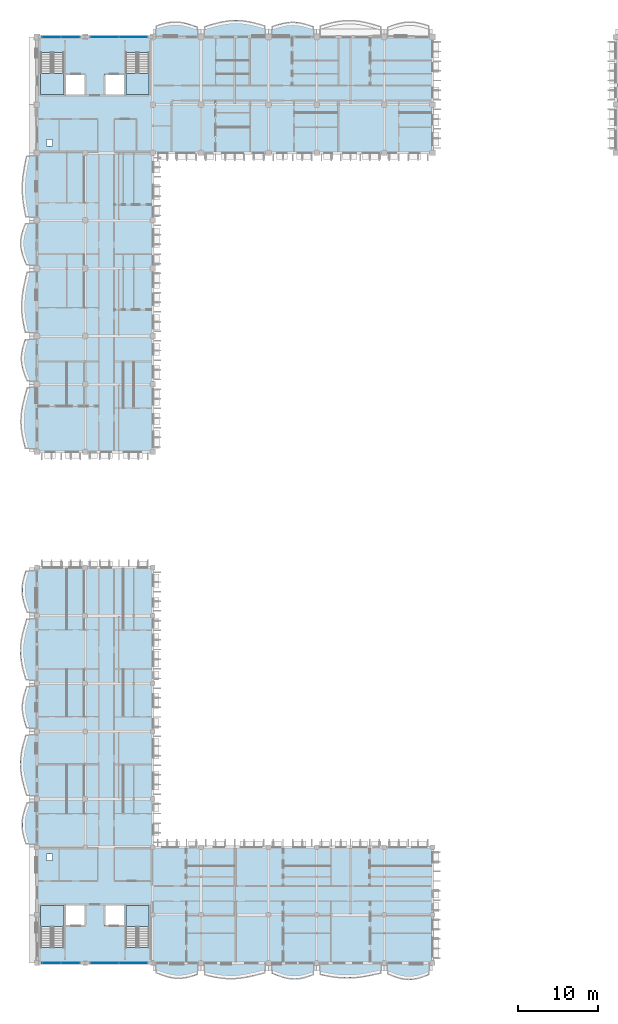
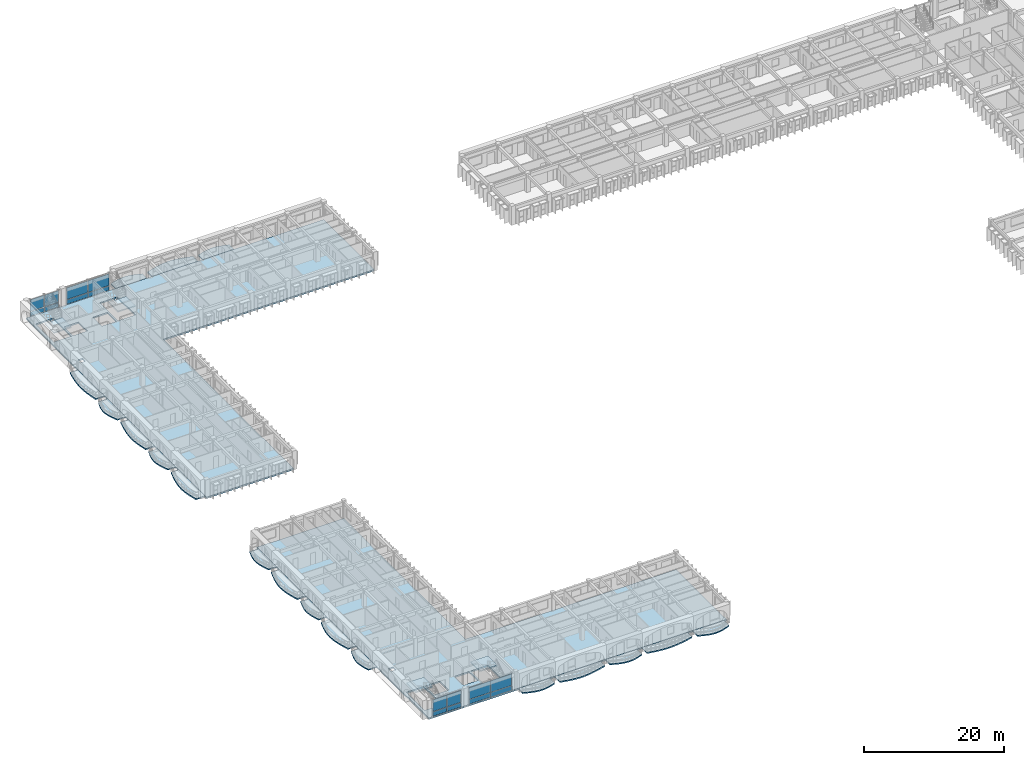
# One storey, part 11 of 70: 24 slabs, 16 plates, 8 elements without a shape of their own.
"""IFC4 building model written with IfcOpenShell, lengths in metres."""

from ifc_helpers import new_model, si_unit, direction, frame, origin, origin_2d, place, context, subcontext, project, spatial, polyline, rectangle, outline, extrude, material, layer, layer_set, type_object, element, aggregate, save


model = new_model("IFC4")

# Units and contexts
model_context = context("Model", 3, precision=1e-05, world=origin(), true_north=direction((0.0, 1.0)))
body_context = subcontext(model_context, "Body", "Model", "MODEL_VIEW")
ifc_project = project(units=[si_unit("LENGTHUNIT", "METRE"), si_unit("AREAUNIT", "SQUARE_METRE"), si_unit("VOLUMEUNIT", "CUBIC_METRE"), si_unit("PLANEANGLEUNIT", "RADIAN"), si_unit("MASSUNIT", "GRAM", prefix="KILO"), si_unit("THERMODYNAMICTEMPERATUREUNIT", "KELVIN")], contexts=[model_context])

# Site, building, storey
site_placement = place(None, origin())
site = spatial("IfcSite", under=ifc_project, at=site_placement, CompositionType="ELEMENT")
building_placement = place(site_placement, origin())
building = spatial("IfcBuilding", under=site, at=building_placement, Name="Thalorik Housing Commons", CompositionType="ELEMENT")
storey_placement = place(building_placement, frame((0.0, 0.0, 14.699951171875)))
storey = spatial("IfcBuildingStorey", under=building, at=storey_placement, Name="L04", CompositionType="ELEMENT", Elevation=14.699951171875)

# Curtain wall, plates
ifc_material_1 = material(Name="Anodised aluminium and solar-control low-E glass", Category="aluminium")
curtain_wall_type = type_object("IfcCurtainWallType", Name="ARC-CW-CORE", PredefinedType="USERDEFINED", material=ifc_material_1)
curtain_wall_1_placement = place(storey_placement, origin())
curtain_wall_1 = element("IfcCurtainWall", 1, at=curtain_wall_1_placement, inside=storey, type_object=curtain_wall_type, Name="L04 Curtain Wall CW-CORE-L04-A-018", ObjectType="CURTAIN WALL", PredefinedType="USERDEFINED")
ifc_material_2 = material(Name="Double solar-control low-E glass", Category="glass")
ifc_layer_1 = layer(ifc_material_2, 0.028076171875, Name="Double solar-control low-E glass", Category="glass")
ifc_layer_set_1 = layer_set([ifc_layer_1], Name="Double solar-control low-E glass")
plate_type_1 = type_object("IfcPlateType", Name="ARC-CP-GLZ-28", PredefinedType="CURTAIN_PANEL", material=ifc_layer_set_1)
plate_1_placement = place(storey_placement, frame((20.375, 123.60009765625, 0.919921875), z_axis=(0.0, 0.0, 1.0), x_axis=(-1.0, 0.0, 0.0)))
plate_1 = element("IfcPlate", 2, at=plate_1_placement, type_object=plate_type_1, Name="CW-CORE-L04-A-018 Vision Panel 1", PredefinedType="CURTAIN_PANEL", context=body_context, shape_type="SweptSolid", body=[
    extrude(rectangle(XDim=3.489990234375, YDim=0.028076171875, at=origin_2d()), origin(), (0.0, 0.0, 1.0), 2.0400390625),
])
plate_2_placement = place(storey_placement, frame((16.824951171875, 123.60009765625, 0.919921875), z_axis=(0.0, 0.0, 1.0), x_axis=(-1.0, 0.0, 0.0)))
plate_2 = element("IfcPlate", 3, at=plate_2_placement, type_object=plate_type_1, Name="CW-CORE-L04-A-018 Vision Panel 2", PredefinedType="CURTAIN_PANEL", context=body_context, shape_type="SweptSolid", body=[
    extrude(rectangle(XDim=3.489990234375, YDim=0.028076171875, at=origin_2d()), origin(), (0.0, 0.0, 1.0), 2.0400390625),
])

curtain_wall_2_placement = place(storey_placement, origin())
curtain_wall_2 = element("IfcCurtainWall", 4, at=curtain_wall_2_placement, inside=storey, type_object=curtain_wall_type, Name="L04 Curtain Wall CW-CORE-L04-A-019", ObjectType="CURTAIN WALL", PredefinedType="USERDEFINED")
plate_3_placement = place(storey_placement, frame((12.574951171875, 123.60009765625, 0.919921875), z_axis=(0.0, 0.0, 1.0), x_axis=(-1.0, 0.0, 0.0)))
plate_3 = element("IfcPlate", 5, at=plate_3_placement, type_object=plate_type_1, Name="CW-CORE-L04-A-019 Vision Panel 1", PredefinedType="CURTAIN_PANEL", context=body_context, shape_type="SweptSolid", body=[
    extrude(rectangle(XDim=2.2900390625, YDim=0.028076171875, at=origin_2d()), origin(), (0.0, 0.0, 1.0), 2.0400390625),
])
plate_4_placement = place(storey_placement, frame((10.22509765625, 123.60009765625, 0.919921875), z_axis=(0.0, 0.0, 1.0), x_axis=(-1.0, 0.0, 0.0)))
plate_4 = element("IfcPlate", 6, at=plate_4_placement, type_object=plate_type_1, Name="CW-CORE-L04-A-019 Vision Panel 2", PredefinedType="CURTAIN_PANEL", context=body_context, shape_type="SweptSolid", body=[
    extrude(rectangle(XDim=2.2900390625, YDim=0.028076171875, at=origin_2d()), origin(), (0.0, 0.0, 1.0), 2.0400390625),
])

curtain_wall_3_placement = place(storey_placement, origin())
curtain_wall_3 = element("IfcCurtainWall", 7, at=curtain_wall_3_placement, inside=storey, type_object=curtain_wall_type, Name="L04 Curtain Wall CW-CORE-L04-C-144", ObjectType="CURTAIN WALL", PredefinedType="USERDEFINED")
plate_5_placement = place(storey_placement, frame((10.22509765625, 8.39990234375, 0.919921875), z_axis=(0.0, 0.0, 1.0), x_axis=(1.0, 0.0, 0.0)))
plate_5 = element("IfcPlate", 8, at=plate_5_placement, type_object=plate_type_1, Name="CW-CORE-L04-C-144 Vision Panel 1", PredefinedType="CURTAIN_PANEL", context=body_context, shape_type="SweptSolid", body=[
    extrude(rectangle(XDim=2.2900390625, YDim=0.028076171875, at=origin_2d()), origin(), (0.0, 0.0, 1.0), 2.0400390625),
])
plate_6_placement = place(storey_placement, frame((12.574951171875, 8.39990234375, 0.919921875), z_axis=(0.0, 0.0, 1.0), x_axis=(1.0, 0.0, 0.0)))
plate_6 = element("IfcPlate", 9, at=plate_6_placement, type_object=plate_type_1, Name="CW-CORE-L04-C-144 Vision Panel 2", PredefinedType="CURTAIN_PANEL", context=body_context, shape_type="SweptSolid", body=[
    extrude(rectangle(XDim=2.2900390625, YDim=0.028076171875, at=origin_2d()), origin(), (0.0, 0.0, 1.0), 2.0400390625),
])

curtain_wall_4_placement = place(storey_placement, origin())
curtain_wall_4 = element("IfcCurtainWall", 10, at=curtain_wall_4_placement, inside=storey, type_object=curtain_wall_type, Name="L04 Curtain Wall CW-CORE-L04-C-145", ObjectType="CURTAIN WALL", PredefinedType="USERDEFINED")
plate_7_placement = place(storey_placement, frame((16.824951171875, 8.39990234375, 0.919921875), z_axis=(0.0, 0.0, 1.0), x_axis=(1.0, 0.0, 0.0)))
plate_7 = element("IfcPlate", 11, at=plate_7_placement, type_object=plate_type_1, Name="CW-CORE-L04-C-145 Vision Panel 1", PredefinedType="CURTAIN_PANEL", context=body_context, shape_type="SweptSolid", body=[
    extrude(rectangle(XDim=3.489990234375, YDim=0.028076171875, at=origin_2d()), origin(), (0.0, 0.0, 1.0), 2.0400390625),
])
plate_8_placement = place(storey_placement, frame((20.375, 8.39990234375, 0.919921875), z_axis=(0.0, 0.0, 1.0), x_axis=(1.0, 0.0, 0.0)))
plate_8 = element("IfcPlate", 12, at=plate_8_placement, type_object=plate_type_1, Name="CW-CORE-L04-C-145 Vision Panel 2", PredefinedType="CURTAIN_PANEL", context=body_context, shape_type="SweptSolid", body=[
    extrude(rectangle(XDim=3.489990234375, YDim=0.028076171875, at=origin_2d()), origin(), (0.0, 0.0, 1.0), 2.0400390625),
])

# Plate
ifc_material_3 = material(Name="Oxide red enamelled aluminium spandrel panel", Category="aluminium")
ifc_layer_2 = layer(ifc_material_3, 0.0419921875, Name="Oxide red enamelled aluminium spandrel panel", Category="aluminium")
ifc_layer_set_2 = layer_set([ifc_layer_2], Name="Oxide red enamelled aluminium spandrel panel")
plate_type_2 = type_object("IfcPlateType", Name="ARC-CP-RED-42", PredefinedType="CURTAIN_PANEL", material=ifc_layer_set_2)
plate_9_placement = place(storey_placement, frame((12.574951171875, 123.60009765625, 0.080078125), z_axis=(0.0, 0.0, 1.0), x_axis=(-1.0, 0.0, 0.0)))
plate_9 = element("IfcPlate", 13, at=plate_9_placement, type_object=plate_type_2, Name="CW-CORE-L04-A-019 Spandrel Panel 1", PredefinedType="CURTAIN_PANEL", context=body_context, shape_type="SweptSolid", body=[
    extrude(rectangle(XDim=2.2900390625, YDim=0.0419921875, at=origin_2d()), origin(), (0.0, 0.0, 1.0), 0.760009765625),
])

plate_10_placement = place(storey_placement, frame((10.22509765625, 123.60009765625, 0.080078125), z_axis=(0.0, 0.0, 1.0), x_axis=(-1.0, 0.0, 0.0)))
plate_10 = element("IfcPlate", 14, at=plate_10_placement, type_object=plate_type_2, Name="CW-CORE-L04-A-019 Spandrel Panel 2", PredefinedType="CURTAIN_PANEL", context=body_context, shape_type="SweptSolid", body=[
    extrude(rectangle(XDim=2.2900390625, YDim=0.0419921875, at=origin_2d()), origin(), (0.0, 0.0, 1.0), 0.760009765625),
])

aggregate(curtain_wall_2, [plate_9, plate_3, plate_10, plate_4])

plate_11_placement = place(storey_placement, frame((16.824951171875, 8.39990234375, 0.080078125), z_axis=(0.0, 0.0, 1.0), x_axis=(1.0, 0.0, 0.0)))
plate_11 = element("IfcPlate", 15, at=plate_11_placement, type_object=plate_type_2, Name="CW-CORE-L04-C-145 Spandrel Panel 1", PredefinedType="CURTAIN_PANEL", context=body_context, shape_type="SweptSolid", body=[
    extrude(rectangle(XDim=3.489990234375, YDim=0.0419921875, at=origin_2d()), origin(), (0.0, 0.0, 1.0), 0.760009765625),
])

plate_12_placement = place(storey_placement, frame((20.375, 8.39990234375, 0.080078125), z_axis=(0.0, 0.0, 1.0), x_axis=(1.0, 0.0, 0.0)))
plate_12 = element("IfcPlate", 16, at=plate_12_placement, type_object=plate_type_2, Name="CW-CORE-L04-C-145 Spandrel Panel 2", PredefinedType="CURTAIN_PANEL", context=body_context, shape_type="SweptSolid", body=[
    extrude(rectangle(XDim=3.489990234375, YDim=0.0419921875, at=origin_2d()), origin(), (0.0, 0.0, 1.0), 0.760009765625),
])

aggregate(curtain_wall_4, [plate_11, plate_7, plate_12, plate_8])

ifc_material_4 = material(Name="Mineral ochre yellow aluminium spandrel panel", Category="aluminium")
ifc_layer_3 = layer(ifc_material_4, 0.050048828125, Name="Mineral ochre yellow aluminium spandrel panel", Category="aluminium")
ifc_layer_set_3 = layer_set([ifc_layer_3], Name="Mineral ochre yellow aluminium spandrel panel")
plate_type_3 = type_object("IfcPlateType", Name="ARC-CP-YEL-50", PredefinedType="CURTAIN_PANEL", material=ifc_layer_set_3)
plate_13_placement = place(storey_placement, frame((20.375, 123.60009765625, 0.080078125), z_axis=(0.0, 0.0, 1.0), x_axis=(-1.0, 0.0, 0.0)))
plate_13 = element("IfcPlate", 17, at=plate_13_placement, type_object=plate_type_3, Name="CW-CORE-L04-A-018 Spandrel Panel 1", PredefinedType="CURTAIN_PANEL", context=body_context, shape_type="SweptSolid", body=[
    extrude(rectangle(XDim=3.489990234375, YDim=0.050048828125, at=origin_2d()), origin(), (0.0, 0.0, 1.0), 0.760009765625),
])

plate_14_placement = place(storey_placement, frame((16.824951171875, 123.60009765625, 0.080078125), z_axis=(0.0, 0.0, 1.0), x_axis=(-1.0, 0.0, 0.0)))
plate_14 = element("IfcPlate", 18, at=plate_14_placement, type_object=plate_type_3, Name="CW-CORE-L04-A-018 Spandrel Panel 2", PredefinedType="CURTAIN_PANEL", context=body_context, shape_type="SweptSolid", body=[
    extrude(rectangle(XDim=3.489990234375, YDim=0.050048828125, at=origin_2d()), origin(), (0.0, 0.0, 1.0), 0.760009765625),
])

aggregate(curtain_wall_1, [plate_13, plate_1, plate_14, plate_2])

plate_15_placement = place(storey_placement, frame((10.22509765625, 8.39990234375, 0.080078125), z_axis=(0.0, 0.0, 1.0), x_axis=(1.0, 0.0, 0.0)))
plate_15 = element("IfcPlate", 19, at=plate_15_placement, type_object=plate_type_3, Name="CW-CORE-L04-C-144 Spandrel Panel 1", PredefinedType="CURTAIN_PANEL", context=body_context, shape_type="SweptSolid", body=[
    extrude(rectangle(XDim=2.2900390625, YDim=0.050048828125, at=origin_2d()), origin(), (0.0, 0.0, 1.0), 0.760009765625),
])

plate_16_placement = place(storey_placement, frame((12.574951171875, 8.39990234375, 0.080078125), z_axis=(0.0, 0.0, 1.0), x_axis=(1.0, 0.0, 0.0)))
plate_16 = element("IfcPlate", 20, at=plate_16_placement, type_object=plate_type_3, Name="CW-CORE-L04-C-144 Spandrel Panel 2", PredefinedType="CURTAIN_PANEL", context=body_context, shape_type="SweptSolid", body=[
    extrude(rectangle(XDim=2.2900390625, YDim=0.050048828125, at=origin_2d()), origin(), (0.0, 0.0, 1.0), 0.760009765625),
])

aggregate(curtain_wall_3, [plate_15, plate_5, plate_16, plate_6])

# Stair, slab
ifc_material_5 = material(Name="Precast concrete C40/50", Category="concrete")
stair_type = type_object("IfcStairType", Name="ARC-STR-1350-R20", PredefinedType="HALF_TURN_STAIR", material=ifc_material_5)
stair_1_placement = place(storey_placement, origin())
stair_1 = element("IfcStair", 21, at=stair_1_placement, inside=storey, type_object=stair_type, Name="L04 Block A Smoke-Proof Stair 1", PredefinedType="HALF_TURN_STAIR")
ifc_layer_4 = layer(ifc_material_5, 0.199951171875, Name="Precast concrete C40/50", Category="concrete")
ifc_layer_set_4 = layer_set([ifc_layer_4], Name="Precast concrete C40/50")
slab_type_1 = type_object("IfcSlabType", Name="ARC-SLB-STLND-200", PredefinedType="LANDING", material=ifc_layer_set_4)
slab_1_placement = place(storey_placement, frame((0.0, 0.0, 1.449951171875)))
slab_1 = element("IfcSlab", 22, at=slab_1_placement, type_object=slab_type_1, Name="ST-A1 landing 1", PredefinedType="LANDING", context=body_context, shape_type="SweptSolid", body=[
    extrude(outline(polyline([(8.85009765625, 119.090087890625), (8.85009765625, 116.449951171875), (11.75, 116.449951171875), (11.75, 119.090087890625), (8.85009765625, 119.090087890625)])), origin(), (0.0, 0.0, 1.0), 0.2001953125),
])
aggregate(stair_1, [slab_1])

stair_2_placement = place(storey_placement, origin())
stair_2 = element("IfcStair", 23, at=stair_2_placement, inside=storey, type_object=stair_type, Name="L04 Block A Smoke-Proof Stair 2", PredefinedType="HALF_TURN_STAIR")
slab_2_placement = place(storey_placement, frame((0.0, 0.0, 1.449951171875)))
slab_2 = element("IfcSlab", 24, at=slab_2_placement, type_object=slab_type_1, Name="ST-A2 landing 1", PredefinedType="LANDING", context=body_context, shape_type="SweptSolid", body=[
    extrude(outline(polyline([(19.449951171875, 119.090087890625), (19.449951171875, 116.449951171875), (22.35009765625, 116.449951171875), (22.35009765625, 119.090087890625), (19.449951171875, 119.090087890625)])), origin(), (0.0, 0.0, 1.0), 0.2001953125),
])
aggregate(stair_2, [slab_2])

stair_3_placement = place(storey_placement, origin())
stair_3 = element("IfcStair", 25, at=stair_3_placement, inside=storey, type_object=stair_type, Name="L04 Block C Smoke-Proof Stair 1", PredefinedType="HALF_TURN_STAIR")
slab_3_placement = place(storey_placement, frame((0.0, 0.0, 1.449951171875)))
slab_3 = element("IfcSlab", 26, at=slab_3_placement, type_object=slab_type_1, Name="ST-C1 landing 1", PredefinedType="LANDING", context=body_context, shape_type="SweptSolid", body=[
    extrude(outline(polyline([(11.75, 12.909912109375), (11.75, 15.550048828125), (8.85009765625, 15.550048828125), (8.85009765625, 12.909912109375), (11.75, 12.909912109375)])), origin(), (0.0, 0.0, 1.0), 0.2001953125),
])
aggregate(stair_3, [slab_3])

stair_4_placement = place(storey_placement, origin())
stair_4 = element("IfcStair", 27, at=stair_4_placement, inside=storey, type_object=stair_type, Name="L04 Block C Smoke-Proof Stair 2", PredefinedType="HALF_TURN_STAIR")
slab_4_placement = place(storey_placement, frame((0.0, 0.0, 1.449951171875)))
slab_4 = element("IfcSlab", 28, at=slab_4_placement, type_object=slab_type_1, Name="ST-C2 landing 1", PredefinedType="LANDING", context=body_context, shape_type="SweptSolid", body=[
    extrude(outline(polyline([(22.35009765625, 12.909912109375), (22.35009765625, 15.550048828125), (19.449951171875, 15.550048828125), (19.449951171875, 12.909912109375), (22.35009765625, 12.909912109375)])), origin(), (0.0, 0.0, 1.0), 0.2001953125),
])
aggregate(stair_4, [slab_4])

# Slabs
ifc_layer_5 = layer(ifc_material_5, 0.199951171875, Name="Precast concrete C40/50", Category="concrete")
ifc_layer_set_5 = layer_set([ifc_layer_5], Name="Precast concrete C40/50")
slab_type_2 = type_object("IfcSlabType", Name="STR-SLB-BALC-200", PredefinedType="FLOOR", material=ifc_layer_set_5)
slab_5_placement = place(storey_placement, frame((0.0, 0.0, -0.199951171875)))
element("IfcSlab", 29, at=slab_5_placement, inside=storey, type_object=slab_type_2, Name="L04 Block A Cushion Balcony 21", PredefinedType="FLOOR", context=body_context, shape_type="SweptSolid", body=[
    extrude(outline(polyline([(23.219970703125, 123.60009765625), (28.3798828125, 123.60009765625), (28.3798828125, 124.856689453125), (27.949951171875, 125.009765625), (27.52001953125, 125.156005859375), (27.090087890625, 125.28564453125), (26.659912109375, 125.389892578125), (26.22998046875, 125.4619140625), (25.800048828125, 125.496826171875), (25.3701171875, 125.4931640625), (24.93994140625, 125.45166015625), (24.510009765625, 125.37548828125), (24.080078125, 125.270751953125), (23.64990234375, 125.1455078125), (23.219970703125, 125.0087890625), (23.219970703125, 123.60009765625)])), origin(), (0.0, 0.0, 1.0), 0.199951171875),
])
slab_6_placement = place(storey_placement, frame((0.0, 0.0, -0.199951171875)))
element("IfcSlab", 30, at=slab_6_placement, inside=storey, type_object=slab_type_2, Name="L04 Block A Cushion Balcony 23", PredefinedType="FLOOR", context=body_context, shape_type="SweptSolid", body=[
    extrude(outline(polyline([(37.6201171875, 123.60009765625), (42.780029296875, 123.60009765625), (42.780029296875, 124.917724609375), (42.35009765625, 125.056884765625), (41.919921875, 125.18798828125), (41.489990234375, 125.301025390625), (41.06005859375, 125.38818359375), (40.6298828125, 125.443115234375), (40.199951171875, 125.4619140625), (39.77001953125, 125.443115234375), (39.340087890625, 125.38818359375), (38.909912109375, 125.301025390625), (38.47998046875, 125.18798828125), (38.050048828125, 125.056884765625), (37.6201171875, 124.917724609375), (37.6201171875, 123.60009765625)])), origin(), (0.0, 0.0, 1.0), 0.199951171875),
])
slab_7_placement = place(storey_placement, frame((0.0, 0.0, -0.199951171875)))
element("IfcSlab", 31, at=slab_7_placement, inside=storey, type_object=slab_type_2, Name="L04 Block A Cushion Balcony 27", PredefinedType="FLOOR", context=body_context, shape_type="SweptSolid", body=[
    extrude(outline(polyline([(8.39990234375, 80.820068359375), (8.39990234375, 85.97998046875), (6.923583984375, 85.97998046875), (6.776611328125, 85.550048828125), (6.643798828125, 85.1201171875), (6.534912109375, 84.68994140625), (6.45751953125, 84.260009765625), (6.417724609375, 83.830078125), (6.4189453125, 83.39990234375), (6.4619140625, 82.969970703125), (6.544677734375, 82.5400390625), (6.661865234375, 82.110107421875), (6.80615234375, 81.679931640625), (6.968505859375, 81.25), (7.138427734375, 80.820068359375), (8.39990234375, 80.820068359375)])), origin(), (0.0, 0.0, 1.0), 0.199951171875),
])
slab_8_placement = place(storey_placement, frame((0.0, 0.0, -0.199951171875)))
element("IfcSlab", 32, at=slab_8_placement, inside=storey, type_object=slab_type_2, Name="L04 Block A Cushion Balcony 29", PredefinedType="FLOOR", context=body_context, shape_type="SweptSolid", body=[
    extrude(outline(polyline([(8.39990234375, 95.219970703125), (8.39990234375, 100.3798828125), (6.918701171875, 100.3798828125), (6.7548828125, 99.949951171875), (6.606201171875, 99.52001953125), (6.482177734375, 99.090087890625), (6.391845703125, 98.659912109375), (6.341552734375, 98.22998046875), (6.3349609375, 97.800048828125), (6.372802734375, 97.3701171875), (6.45361328125, 96.93994140625), (6.572021484375, 96.510009765625), (6.720703125, 96.080078125), (6.890625, 95.64990234375), (7.07080078125, 95.219970703125), (8.39990234375, 95.219970703125)])), origin(), (0.0, 0.0, 1.0), 0.199951171875),
])
slab_9_placement = place(storey_placement, frame((0.0, 0.0, -0.199951171875)))
element("IfcSlab", 33, at=slab_9_placement, inside=storey, type_object=slab_type_2, Name="L04 Block C Cushion Balcony 271", PredefinedType="FLOOR", context=body_context, shape_type="SweptSolid", body=[
    extrude(outline(polyline([(8.39990234375, 23.219970703125), (8.39990234375, 28.3798828125), (7.143310546875, 28.3798828125), (6.990234375, 27.949951171875), (6.843994140625, 27.52001953125), (6.71435546875, 27.090087890625), (6.610107421875, 26.659912109375), (6.5380859375, 26.22998046875), (6.503173828125, 25.800048828125), (6.5068359375, 25.3701171875), (6.54833984375, 24.93994140625), (6.62451171875, 24.510009765625), (6.729248046875, 24.080078125), (6.8544921875, 23.64990234375), (6.9912109375, 23.219970703125), (8.39990234375, 23.219970703125)])), origin(), (0.0, 0.0, 1.0), 0.199951171875),
])
slab_10_placement = place(storey_placement, frame((0.0, 0.0, -0.199951171875)))
element("IfcSlab", 34, at=slab_10_placement, inside=storey, type_object=slab_type_2, Name="L04 Block C Cushion Balcony 273", PredefinedType="FLOOR", context=body_context, shape_type="SweptSolid", body=[
    extrude(outline(polyline([(8.39990234375, 37.6201171875), (8.39990234375, 42.780029296875), (7.082275390625, 42.780029296875), (6.943115234375, 42.35009765625), (6.81201171875, 41.919921875), (6.698974609375, 41.489990234375), (6.61181640625, 41.06005859375), (6.556884765625, 40.6298828125), (6.5380859375, 40.199951171875), (6.556884765625, 39.77001953125), (6.61181640625, 39.340087890625), (6.698974609375, 38.909912109375), (6.81201171875, 38.47998046875), (6.943115234375, 38.050048828125), (7.082275390625, 37.6201171875), (8.39990234375, 37.6201171875)])), origin(), (0.0, 0.0, 1.0), 0.199951171875),
])
slab_11_placement = place(storey_placement, frame((0.0, 0.0, -0.199951171875)))
element("IfcSlab", 35, at=slab_11_placement, inside=storey, type_object=slab_type_2, Name="L04 Block C Cushion Balcony 275", PredefinedType="FLOOR", context=body_context, shape_type="SweptSolid", body=[
    extrude(outline(polyline([(8.39990234375, 52.02001953125), (8.39990234375, 57.179931640625), (6.9912109375, 57.179931640625), (6.8544921875, 56.75), (6.729248046875, 56.320068359375), (6.62451171875, 55.889892578125), (6.54833984375, 55.4599609375), (6.5068359375, 55.030029296875), (6.503173828125, 54.60009765625), (6.5380859375, 54.169921875), (6.610107421875, 53.739990234375), (6.71435546875, 53.31005859375), (6.843994140625, 52.8798828125), (6.990234375, 52.449951171875), (7.143310546875, 52.02001953125), (8.39990234375, 52.02001953125)])), origin(), (0.0, 0.0, 1.0), 0.199951171875),
])
slab_12_placement = place(storey_placement, frame((0.0, 0.0, -0.199951171875)))
element("IfcSlab", 36, at=slab_12_placement, inside=storey, type_object=slab_type_2, Name="L04 Block C Cushion Balcony 276", PredefinedType="FLOOR", context=body_context, shape_type="SweptSolid", body=[
    extrude(outline(polyline([(23.219970703125, 7.14990234375), (23.64990234375, 6.98828125), (24.080078125, 6.833251953125), (24.510009765625, 6.6953125), (24.93994140625, 6.583740234375), (25.3701171875, 6.505126953125), (25.800048828125, 6.464599609375), (26.22998046875, 6.464111328125), (26.659912109375, 6.503173828125), (27.090087890625, 6.578125), (27.52001953125, 6.683349609375), (27.949951171875, 6.810791015625), (28.3798828125, 6.951416015625), (28.3798828125, 8.39990234375), (23.219970703125, 8.39990234375), (23.219970703125, 7.14990234375)])), origin(), (0.0, 0.0, 1.0), 0.199951171875),
])
slab_13_placement = place(storey_placement, frame((0.0, 0.0, -0.199951171875)))
element("IfcSlab", 37, at=slab_13_placement, inside=storey, type_object=slab_type_2, Name="L04 Block C Cushion Balcony 278", PredefinedType="FLOOR", context=body_context, shape_type="SweptSolid", body=[
    extrude(outline(polyline([(37.6201171875, 7.110595703125), (38.050048828125, 6.934326171875), (38.47998046875, 6.7666015625), (38.909912109375, 6.618408203125), (39.340087890625, 6.498779296875), (39.77001953125, 6.41552734375), (40.199951171875, 6.37353515625), (40.6298828125, 6.37451171875), (41.06005859375, 6.418212890625), (41.489990234375, 6.501220703125), (41.919921875, 6.61669921875), (42.35009765625, 6.757080078125), (42.780029296875, 6.912109375), (42.780029296875, 8.39990234375), (37.6201171875, 8.39990234375), (37.6201171875, 7.110595703125)])), origin(), (0.0, 0.0, 1.0), 0.199951171875),
])
slab_14_placement = place(storey_placement, frame((0.0, 0.0, -0.199951171875)))
element("IfcSlab", 38, at=slab_14_placement, inside=storey, type_object=slab_type_2, Name="L04 Block C Cushion Balcony 280", PredefinedType="FLOOR", context=body_context, shape_type="SweptSolid", body=[
    extrude(outline(polyline([(52.02001953125, 7.02490234375), (52.449951171875, 6.84423828125), (52.8798828125, 6.67578125), (53.31005859375, 6.529541015625), (53.739990234375, 6.415283203125), (54.169921875, 6.34033203125), (54.60009765625, 6.30908203125), (55.030029296875, 6.3232421875), (55.4599609375, 6.382080078125), (55.889892578125, 6.48095703125), (56.320068359375, 6.613525390625), (56.75, 6.77099609375), (57.179931640625, 6.942626953125), (57.179931640625, 8.39990234375), (52.02001953125, 8.39990234375), (52.02001953125, 7.02490234375)])), origin(), (0.0, 0.0, 1.0), 0.199951171875),
])
ifc_layer_6 = layer(ifc_material_5, 0.219970703125, Name="Precast concrete C40/50", Category="concrete")
ifc_layer_set_6 = layer_set([ifc_layer_6], Name="Precast concrete C40/50")
slab_type_3 = type_object("IfcSlabType", Name="STR-SLB-BALC-220", PredefinedType="FLOOR", material=ifc_layer_set_6)
slab_15_placement = place(storey_placement, frame((0.0, 0.0, -0.219970703125)))
element("IfcSlab", 39, at=slab_15_placement, inside=storey, type_object=slab_type_3, Name="L04 Block A Cushion Balcony 22", PredefinedType="FLOOR", context=body_context, shape_type="SweptSolid", body=[
    extrude(outline(polyline([(29.219970703125, 123.60009765625), (36.780029296875, 123.60009765625), (36.780029296875, 125.005859375), (36.14990234375, 125.193603515625), (35.52001953125, 125.365478515625), (34.889892578125, 125.509765625), (34.260009765625, 125.616455078125), (33.6298828125, 125.67822265625), (33.0, 125.69091796875), (32.3701171875, 125.653564453125), (31.739990234375, 125.569091796875), (31.110107421875, 125.44287109375), (30.47998046875, 125.2841796875), (29.85009765625, 125.104248046875), (29.219970703125, 124.9150390625), (29.219970703125, 123.60009765625)])), origin(), (0.0, 0.0, 1.0), 0.219970703125),
])
slab_16_placement = place(storey_placement, frame((0.0, 0.0, -0.219970703125)))
element("IfcSlab", 40, at=slab_16_placement, inside=storey, type_object=slab_type_3, Name="L04 Block A Cushion Balcony 26", PredefinedType="FLOOR", context=body_context, shape_type="SweptSolid", body=[
    extrude(outline(polyline([(8.39990234375, 72.419921875), (8.39990234375, 79.97998046875), (7.144287109375, 79.97998046875), (6.971435546875, 79.35009765625), (6.80224609375, 78.719970703125), (6.648193359375, 78.090087890625), (6.51953125, 77.4599609375), (6.42578125, 76.830078125), (6.37353515625, 76.199951171875), (6.3662109375, 75.570068359375), (6.40478515625, 74.93994140625), (6.486572265625, 74.31005859375), (6.6064453125, 73.679931640625), (6.755859375, 73.050048828125), (6.925048828125, 72.419921875), (8.39990234375, 72.419921875)])), origin(), (0.0, 0.0, 1.0), 0.219970703125),
])
slab_17_placement = place(storey_placement, frame((0.0, 0.0, -0.219970703125)))
element("IfcSlab", 41, at=slab_17_placement, inside=storey, type_object=slab_type_3, Name="L04 Block A Cushion Balcony 28", PredefinedType="FLOOR", context=body_context, shape_type="SweptSolid", body=[
    extrude(outline(polyline([(8.39990234375, 86.820068359375), (8.39990234375, 94.3798828125), (7.136962890625, 94.3798828125), (6.9892578125, 93.75), (6.843505859375, 93.1201171875), (6.7099609375, 92.489990234375), (6.597412109375, 91.860107421875), (6.513427734375, 91.22998046875), (6.464599609375, 90.60009765625), (6.453857421875, 89.969970703125), (6.482421875, 89.340087890625), (6.54833984375, 88.7099609375), (6.647705078125, 88.080078125), (6.773681640625, 87.449951171875), (6.917724609375, 86.820068359375), (8.39990234375, 86.820068359375)])), origin(), (0.0, 0.0, 1.0), 0.219970703125),
])
slab_18_placement = place(storey_placement, frame((0.0, 0.0, -0.219970703125)))
element("IfcSlab", 42, at=slab_18_placement, inside=storey, type_object=slab_type_3, Name="L04 Block A Cushion Balcony 30", PredefinedType="FLOOR", context=body_context, shape_type="SweptSolid", body=[
    extrude(outline(polyline([(8.39990234375, 101.219970703125), (8.39990234375, 108.780029296875), (7.06787109375, 108.780029296875), (6.938720703125, 108.14990234375), (6.8154296875, 107.52001953125), (6.706298828125, 106.889892578125), (6.618408203125, 106.260009765625), (6.55810546875, 105.6298828125), (6.52880859375, 105.0), (6.533203125, 104.3701171875), (6.57080078125, 103.739990234375), (6.639404296875, 103.110107421875), (6.734375, 102.47998046875), (6.849365234375, 101.85009765625), (6.97705078125, 101.219970703125), (8.39990234375, 101.219970703125)])), origin(), (0.0, 0.0, 1.0), 0.219970703125),
])
slab_19_placement = place(storey_placement, frame((0.0, 0.0, -0.219970703125)))
element("IfcSlab", 43, at=slab_19_placement, inside=storey, type_object=slab_type_3, Name="L04 Block C Cushion Balcony 272", PredefinedType="FLOOR", context=body_context, shape_type="SweptSolid", body=[
    extrude(outline(polyline([(8.39990234375, 29.219970703125), (8.39990234375, 36.780029296875), (6.994140625, 36.780029296875), (6.806396484375, 36.14990234375), (6.634521484375, 35.52001953125), (6.490234375, 34.889892578125), (6.383544921875, 34.260009765625), (6.32177734375, 33.6298828125), (6.30908203125, 33.0), (6.346435546875, 32.3701171875), (6.430908203125, 31.739990234375), (6.55712890625, 31.110107421875), (6.7158203125, 30.47998046875), (6.895751953125, 29.85009765625), (7.0849609375, 29.219970703125), (8.39990234375, 29.219970703125)])), origin(), (0.0, 0.0, 1.0), 0.219970703125),
])
slab_20_placement = place(storey_placement, frame((0.0, 0.0, -0.219970703125)))
element("IfcSlab", 44, at=slab_20_placement, inside=storey, type_object=slab_type_3, Name="L04 Block C Cushion Balcony 274", PredefinedType="FLOOR", context=body_context, shape_type="SweptSolid", body=[
    extrude(outline(polyline([(8.39990234375, 43.6201171875), (8.39990234375, 51.179931640625), (7.0849609375, 51.179931640625), (6.895751953125, 50.550048828125), (6.7158203125, 49.919921875), (6.55712890625, 49.2900390625), (6.430908203125, 48.659912109375), (6.346435546875, 48.030029296875), (6.30908203125, 47.39990234375), (6.32177734375, 46.77001953125), (6.383544921875, 46.139892578125), (6.490234375, 45.510009765625), (6.634521484375, 44.8798828125), (6.806396484375, 44.25), (6.994140625, 43.6201171875), (8.39990234375, 43.6201171875)])), origin(), (0.0, 0.0, 1.0), 0.219970703125),
])
slab_21_placement = place(storey_placement, frame((0.0, 0.0, -0.219970703125)))
element("IfcSlab", 45, at=slab_21_placement, inside=storey, type_object=slab_type_3, Name="L04 Block C Cushion Balcony 277", PredefinedType="FLOOR", context=body_context, shape_type="SweptSolid", body=[
    extrude(outline(polyline([(29.219970703125, 6.912353515625), (29.85009765625, 6.755859375), (30.47998046875, 6.618896484375), (31.110107421875, 6.510986328125), (31.739990234375, 6.438720703125), (32.3701171875, 6.40771484375), (33.0, 6.4189453125), (33.6298828125, 6.47216796875), (34.260009765625, 6.563232421875), (34.889892578125, 6.685546875), (35.52001953125, 6.8310546875), (36.14990234375, 6.9892578125), (36.780029296875, 7.149658203125), (36.780029296875, 8.39990234375), (29.219970703125, 8.39990234375), (29.219970703125, 6.912353515625)])), origin(), (0.0, 0.0, 1.0), 0.219970703125),
])
slab_22_placement = place(storey_placement, frame((0.0, 0.0, -0.219970703125)))
element("IfcSlab", 46, at=slab_22_placement, inside=storey, type_object=slab_type_3, Name="L04 Block C Cushion Balcony 279", PredefinedType="FLOOR", context=body_context, shape_type="SweptSolid", body=[
    extrude(outline(polyline([(43.6201171875, 6.9404296875), (44.25, 6.806396484375), (44.8798828125, 6.688232421875), (45.510009765625, 6.593505859375), (46.139892578125, 6.52880859375), (46.77001953125, 6.498046875), (47.39990234375, 6.503173828125), (48.030029296875, 6.543701171875), (48.659912109375, 6.61669921875), (49.2900390625, 6.71728515625), (49.919921875, 6.838134765625), (50.550048828125, 6.971435546875), (51.179931640625, 7.1083984375), (51.179931640625, 8.39990234375), (43.6201171875, 8.39990234375), (43.6201171875, 6.9404296875)])), origin(), (0.0, 0.0, 1.0), 0.219970703125),
])
ifc_material_6 = material(Name="Precast concrete C45/55", Category="concrete")
ifc_layer_7 = layer(ifc_material_6, 0.260009765625, Name="Precast concrete C45/55", Category="concrete")
ifc_layer_set_7 = layer_set([ifc_layer_7], Name="Precast concrete C45/55")
slab_type_4 = type_object("IfcSlabType", Name="STR-SLB-HC-260", PredefinedType="FLOOR", material=ifc_layer_set_7)
slab_23_placement = place(storey_placement, frame((0.0, 0.0, -0.260009765625)))
element("IfcSlab", 47, at=slab_23_placement, inside=storey, type_object=slab_type_4, Name="L04 Residential Block A Floor Slab", PredefinedType="FLOOR", context=body_context, shape_type="SweptSolid", body=[
    extrude(outline(polyline([(8.39990234375, 123.60009765625), (8.39990234375, 109.199951171875), (8.39990234375, 72.0), (22.800048828125, 72.0), (22.800048828125, 109.199951171875), (57.60009765625, 109.199951171875), (57.60009765625, 123.60009765625), (8.39990234375, 123.60009765625)]), holes=[polyline([(8.85009765625, 121.64990234375), (11.75, 121.64990234375), (11.75, 116.449951171875), (8.85009765625, 116.449951171875), (8.85009765625, 121.64990234375)]), polyline([(22.35009765625, 121.64990234375), (22.35009765625, 116.449951171875), (19.449951171875, 116.449951171875), (19.449951171875, 121.64990234375), (22.35009765625, 121.64990234375)]), polyline([(14.39990234375, 119.0), (14.39990234375, 116.449951171875), (12.0, 116.449951171875), (12.0, 119.0), (14.39990234375, 119.0)]), polyline([(19.199951171875, 116.449951171875), (16.800048828125, 116.449951171875), (16.800048828125, 119.0), (19.199951171875, 119.0), (19.199951171875, 116.449951171875)]), polyline([(9.550048828125, 110.050048828125), (9.550048828125, 110.85009765625), (10.35009765625, 110.85009765625), (10.35009765625, 110.050048828125), (9.550048828125, 110.050048828125)])]), origin(), (0.0, 0.0, 1.0), 0.260009765625),
])
slab_24_placement = place(storey_placement, frame((0.0, 0.0, -0.260009765625)))
element("IfcSlab", 48, at=slab_24_placement, inside=storey, type_object=slab_type_4, Name="L04 Residential Block C Floor Slab", PredefinedType="FLOOR", context=body_context, shape_type="SweptSolid", body=[
    extrude(outline(polyline([(8.39990234375, 8.39990234375), (22.800048828125, 8.39990234375), (57.60009765625, 8.39990234375), (57.60009765625, 22.800048828125), (22.800048828125, 22.800048828125), (22.800048828125, 57.60009765625), (8.39990234375, 57.60009765625), (8.39990234375, 8.39990234375)]), holes=[polyline([(11.75, 10.35009765625), (8.85009765625, 10.35009765625), (8.85009765625, 15.550048828125), (11.75, 15.550048828125), (11.75, 10.35009765625)]), polyline([(19.449951171875, 10.35009765625), (19.449951171875, 15.550048828125), (22.35009765625, 15.550048828125), (22.35009765625, 10.35009765625), (19.449951171875, 10.35009765625)]), polyline([(14.39990234375, 15.550048828125), (14.39990234375, 13.0), (12.0, 13.0), (12.0, 15.550048828125), (14.39990234375, 15.550048828125)]), polyline([(19.199951171875, 13.0), (16.800048828125, 13.0), (16.800048828125, 15.550048828125), (19.199951171875, 15.550048828125), (19.199951171875, 13.0)]), polyline([(9.550048828125, 21.14990234375), (9.550048828125, 21.949951171875), (10.35009765625, 21.949951171875), (10.35009765625, 21.14990234375), (9.550048828125, 21.14990234375)])]), origin(), (0.0, 0.0, 1.0), 0.260009765625),
])

save(model, "model.ifc")
